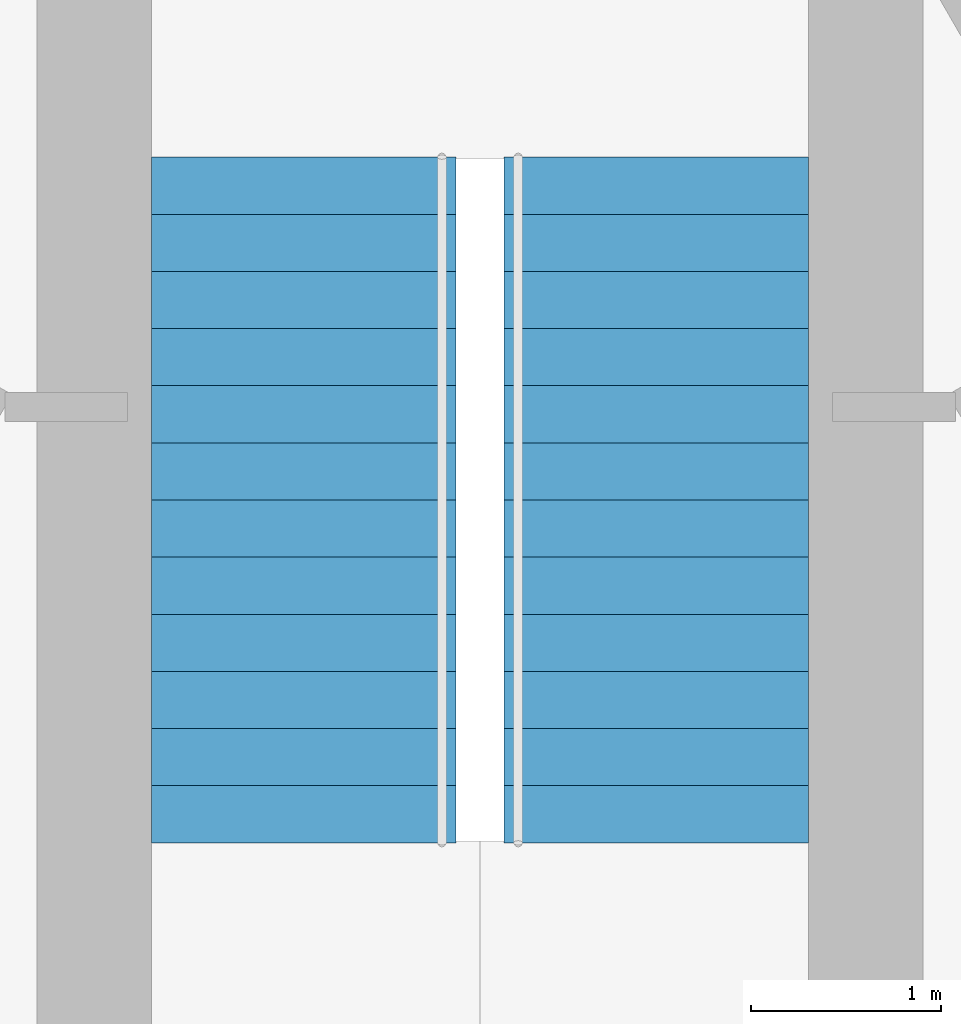
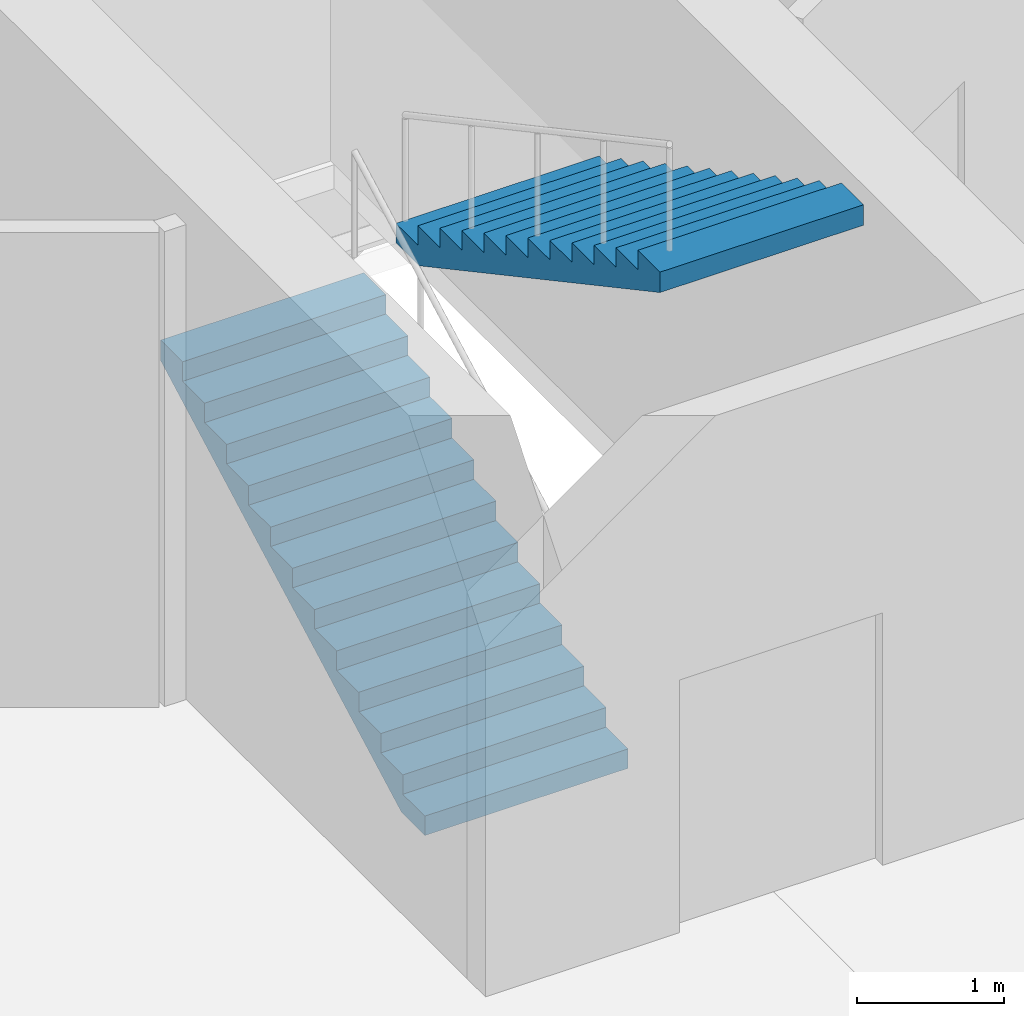
# One storey, part 14 of 19: 2 stair flights, 1 element without a shape of its own.
"""IFC4 building model written with IfcOpenShell, lengths in metres."""

from ifc_helpers import new_model, si_unit, direction, frame, origin, place, context, subcontext, project, spatial, polyline, outline, extrude, material, type_object, element, aggregate, save


model = new_model("IFC4")

# Units and contexts
model_context = context("Model", 3, precision=1e-05, world=origin(), true_north=direction((0.0, 1.0)))
body_context = subcontext(model_context, "Body", "Model", "MODEL_VIEW")
ifc_project = project(units=[si_unit("LENGTHUNIT", "METRE"), si_unit("AREAUNIT", "SQUARE_METRE"), si_unit("VOLUMEUNIT", "CUBIC_METRE"), si_unit("PLANEANGLEUNIT", "RADIAN"), si_unit("MASSUNIT", "GRAM", prefix="KILO")], contexts=[model_context])

# Site, building, storey
site_placement = place(None, origin())
site = spatial("IfcSite", under=ifc_project, at=site_placement, CompositionType="ELEMENT")
building_placement = place(site_placement, origin())
building = spatial("IfcBuilding", under=site, at=building_placement, Name="Trefoil Bronze Tower", CompositionType="ELEMENT")
storey_placement = place(building_placement, frame((0.0, 0.0, 261.10009765625)))
storey = spatial("IfcBuildingStorey", under=building, at=storey_placement, Name="L60", CompositionType="ELEMENT", Elevation=261.10009765625)

# Stair, stair flights
ifc_material_1 = material(Name="Precast concrete B80", Category="concrete")
stair_type = type_object("IfcStairType", Name="Exit stair 26 risers", PredefinedType="HALF_TURN_STAIR", material=ifc_material_1)
stair_placement = place(storey_placement, origin())
stair = element("IfcStair", 1, at=stair_placement, inside=storey, type_object=stair_type, Name="Stair ST2 L60", PredefinedType="HALF_TURN_STAIR")
ifc_material_2 = material(Name="Precast concrete B80", Category="concrete")
stair_flight_type = type_object("IfcStairFlightType", Name="Stair flight 1600", PredefinedType="STRAIGHT", material=ifc_material_2)
stair_flight_1_placement = place(storey_placement, frame((-0.925048828125, 8.389892578125, 0.0), z_axis=(0.0, 0.0, 1.0), x_axis=(0.0, 1.0, 0.0)))
stair_flight_1 = element("IfcStairFlight", 2, at=stair_flight_1_placement, type_object=stair_flight_type, Name="ST2 flight 1", NumberOfRisers=13, NumberOfTreads=12, PredefinedType="STRAIGHT", RiserHeight=0.161538462, TreadLength=0.3, context=body_context, shape_type="SweptSolid", body=[
    extrude(outline(polyline([(0.0, 0.0), (0.0, 0.16162109375), (0.300048828125, 0.16162109375), (0.300048828125, 0.322998046875), (0.60009765625, 0.322998046875), (0.60009765625, 0.484619140625), (0.89990234375, 0.484619140625), (0.89990234375, 0.646240234375), (1.199951171875, 0.646240234375), (1.199951171875, 0.8076171875), (1.5, 0.8076171875), (1.5, 0.96923828125), (1.800048828125, 0.96923828125), (1.800048828125, 1.130859375), (2.10009765625, 1.130859375), (2.10009765625, 1.292236328125), (2.39990234375, 1.292236328125), (2.39990234375, 1.453857421875), (2.699951171875, 1.453857421875), (2.699951171875, 1.615478515625), (3.0, 1.615478515625), (3.0, 1.77685546875), (3.300048828125, 1.77685546875), (3.300048828125, 1.9384765625), (3.60009765625, 1.9384765625), (3.60009765625, 2.10009765625), (3.60009765625, 1.768310546875), (0.316162109375, 0.0), (0.0, 0.0)])), frame((0.0, 0.800048828125, 0.0), z_axis=(0.0, -1.0, 0.0), x_axis=(1.0, 0.0, 0.0)), (0.0, 0.0, 1.0), 1.60009765625),
])
stair_flight_2_placement = place(storey_placement, frame((0.925048828125, 11.989990234375, 2.099853515625), z_axis=(0.0, 0.0, 1.0), x_axis=(0.0, -1.0, 0.0)))
stair_flight_2 = element("IfcStairFlight", 3, at=stair_flight_2_placement, type_object=stair_flight_type, Name="ST2 flight 2", NumberOfRisers=13, NumberOfTreads=12, PredefinedType="STRAIGHT", RiserHeight=0.161538462, TreadLength=0.3, context=body_context, shape_type="SweptSolid", body=[
    extrude(outline(polyline([(0.0, 0.0), (0.0, 0.16162109375), (0.300048828125, 0.16162109375), (0.300048828125, 0.322998046875), (0.60009765625, 0.322998046875), (0.60009765625, 0.484619140625), (0.89990234375, 0.484619140625), (0.89990234375, 0.646240234375), (1.199951171875, 0.646240234375), (1.199951171875, 0.8076171875), (1.5, 0.8076171875), (1.5, 0.96923828125), (1.800048828125, 0.96923828125), (1.800048828125, 1.130859375), (2.10009765625, 1.130859375), (2.10009765625, 1.292236328125), (2.39990234375, 1.292236328125), (2.39990234375, 1.453857421875), (2.699951171875, 1.453857421875), (2.699951171875, 1.615478515625), (3.0, 1.615478515625), (3.0, 1.77685546875), (3.300048828125, 1.77685546875), (3.300048828125, 1.9384765625), (3.60009765625, 1.9384765625), (3.60009765625, 2.10009765625), (3.60009765625, 1.768310546875), (0.316162109375, 0.0), (0.0, 0.0)])), frame((0.0, 0.800048828125, 0.0), z_axis=(0.0, -1.0, 0.0), x_axis=(1.0, 0.0, 0.0)), (0.0, 0.0, 1.0), 1.60009765625),
])
aggregate(stair, [stair_flight_1, stair_flight_2])

save(model, "model.ifc")
